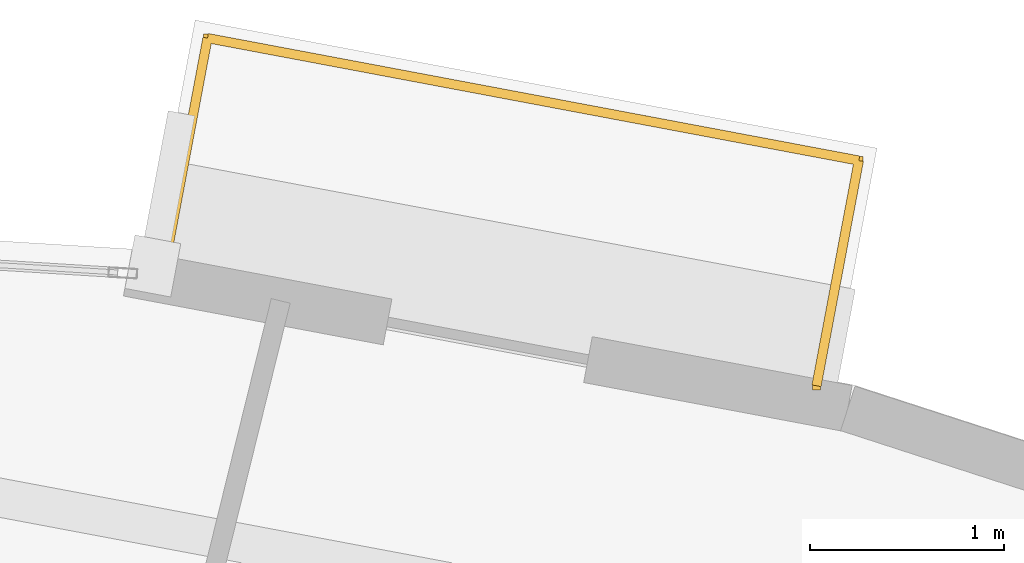
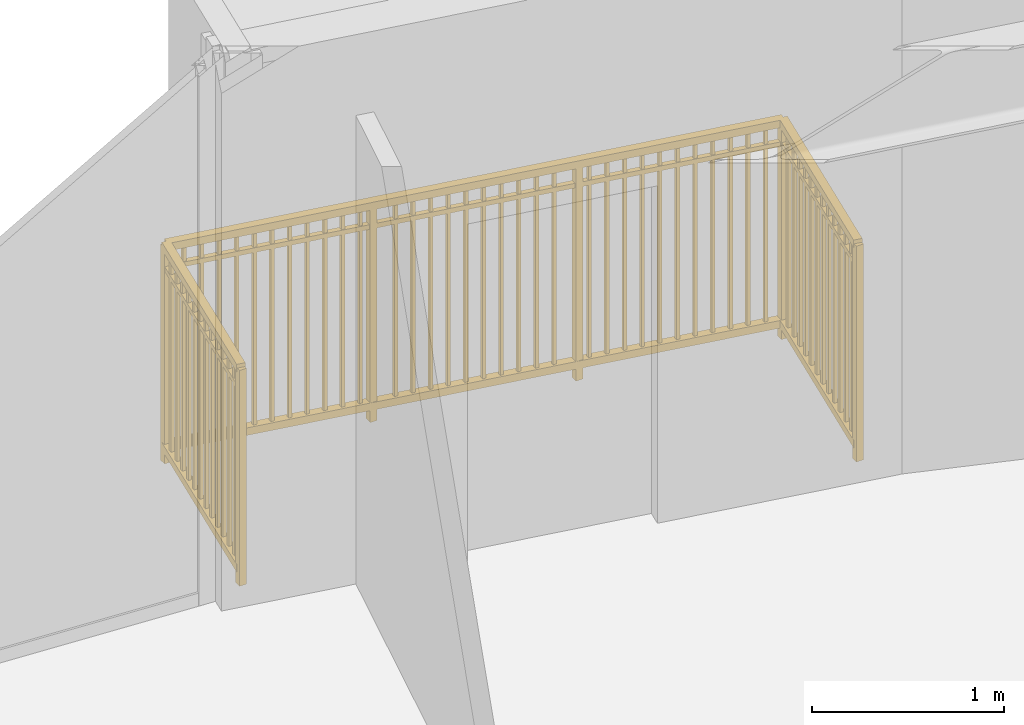
# One storey, part 20 of 20: 1 railing.
"""IFC4 building model written with IfcOpenShell, lengths in metres."""

from ifc_helpers import new_model, si_unit, direction, frame, origin, origin_2d, place, context, subcontext, project, spatial, rectangle, extrude, source, transform, mapped, material, type_object, element, save


model = new_model("IFC4")

# Units and contexts
model_context = context("Model", 3, precision=1e-05, world=origin(), true_north=direction((0.0, 1.0)))
body_context = subcontext(model_context, "Body", "Model", "MODEL_VIEW")
ifc_project = project(units=[si_unit("LENGTHUNIT", "METRE"), si_unit("AREAUNIT", "SQUARE_METRE"), si_unit("VOLUMEUNIT", "CUBIC_METRE"), si_unit("PLANEANGLEUNIT", "RADIAN"), si_unit("MASSUNIT", "GRAM", prefix="KILO")], contexts=[model_context])

# Site, building, storey
site_placement = place(None, origin())
site = spatial("IfcSite", under=ifc_project, at=site_placement, CompositionType="ELEMENT")
building_placement = place(site_placement, origin())
building = spatial("IfcBuilding", under=site, at=building_placement, Name="Linh Dai School and Residence Tower", CompositionType="ELEMENT")
storey_placement = place(building_placement, frame((0.0, 0.0, 232.800048828125)))
storey = spatial("IfcBuildingStorey", under=building, at=storey_placement, Name="L57", CompositionType="ELEMENT", Elevation=232.800048828125)

# Railing
ifc_material = material(Name="Structural Steel S355JR", Category="steel")
railing_type = type_object("IfcRailingType", Name="RL-BAL-1400", PredefinedType="BALUSTRADE", material=ifc_material)
shared_shape = source(origin(), body_context, "Body", "SweptSolid", [
    extrude(rectangle(XDim=0.048095703125, YDim=0.048095703125, at=origin_2d()), frame((0.0, 0.0, 1.3759765625), z_axis=(0.184725654166, 0.982790126473, 0.0), x_axis=(-0.982790126473, 0.184725654166, 0.0)), (0.0, 0.0, 1.0), 1.18017578125),
    extrude(rectangle(XDim=0.048095703125, YDim=0.048095703125, at=origin_2d()), frame((0.0, 0.0, 0.10009765625), z_axis=(0.184725654166, 0.982790126473, 0.0), x_axis=(-0.982790126473, 0.184725654166, 0.0)), (0.0, 0.0, 1.0), 1.18017578125),
    extrude(rectangle(XDim=0.030029296875, YDim=0.030029296875, at=origin_2d()), frame((0.0, 0.0, 1.239990234375), z_axis=(0.184725654166, 0.982790126473, 0.0), x_axis=(-0.982790126473, 0.184725654166, 0.0)), (0.0, 0.0, 1.0), 1.18017578125),
    extrude(rectangle(XDim=0.02001953125, YDim=0.02001953125, at=origin_2d()), frame((0.016845703125, 0.089111328125, 0.10009765625)), (0.0, 0.0, 1.0), 1.251708984375),
    extrude(rectangle(XDim=0.02001953125, YDim=0.02001953125, at=origin_2d()), frame((0.033447265625, 0.178466796875, 0.10009765625)), (0.0, 0.0, 1.0), 1.251708984375),
    extrude(rectangle(XDim=0.02001953125, YDim=0.02001953125, at=origin_2d()), frame((0.05029296875, 0.267578125, 0.10009765625)), (0.0, 0.0, 1.0), 1.251708984375),
    extrude(rectangle(XDim=0.02001953125, YDim=0.02001953125, at=origin_2d()), frame((0.067138671875, 0.35693359375, 0.10009765625)), (0.0, 0.0, 1.0), 1.251708984375),
    extrude(rectangle(XDim=0.02001953125, YDim=0.02001953125, at=origin_2d()), frame((0.083740234375, 0.446044921875, 0.10009765625)), (0.0, 0.0, 1.0), 1.251708984375),
    extrude(rectangle(XDim=0.02001953125, YDim=0.02001953125, at=origin_2d()), frame((0.1005859375, 0.535400390625, 0.10009765625)), (0.0, 0.0, 1.0), 1.251708984375),
    extrude(rectangle(XDim=0.02001953125, YDim=0.02001953125, at=origin_2d()), frame((0.117431640625, 0.62451171875, 0.10009765625)), (0.0, 0.0, 1.0), 1.251708984375),
    extrude(rectangle(XDim=0.02001953125, YDim=0.02001953125, at=origin_2d()), frame((0.13427734375, 0.7138671875, 0.10009765625)), (0.0, 0.0, 1.0), 1.251708984375),
    extrude(rectangle(XDim=0.02001953125, YDim=0.02001953125, at=origin_2d()), frame((0.15087890625, 0.802978515625, 0.10009765625)), (0.0, 0.0, 1.0), 1.251708984375),
    extrude(rectangle(XDim=0.02001953125, YDim=0.02001953125, at=origin_2d()), frame((0.167724609375, 0.892333984375, 0.10009765625)), (0.0, 0.0, 1.0), 1.251708984375),
    extrude(rectangle(XDim=0.02001953125, YDim=0.02001953125, at=origin_2d()), frame((0.1845703125, 0.9814453125, 0.10009765625)), (0.0, 0.0, 1.0), 1.251708984375),
    extrude(rectangle(XDim=0.02001953125, YDim=0.02001953125, at=origin_2d()), frame((0.201171875, 1.07080078125, 0.10009765625)), (0.0, 0.0, 1.0), 1.251708984375),
    extrude(rectangle(XDim=0.048095703125, YDim=0.048095703125, at=origin_2d()), frame((0.218017578125, 1.159912109375, 1.3759765625), z_axis=(0.982777297131, -0.184793896665, 0.0), x_axis=(0.184793896665, 0.982777297131, 0.0)), (0.0, 0.0, 1.0), 3.41259765625),
    extrude(rectangle(XDim=0.048095703125, YDim=0.048095703125, at=origin_2d()), frame((0.218017578125, 1.159912109375, 0.10009765625), z_axis=(0.982777297131, -0.184793896665, 0.0), x_axis=(0.184793896665, 0.982777297131, 0.0)), (0.0, 0.0, 1.0), 3.41259765625),
    extrude(rectangle(XDim=0.030029296875, YDim=0.030029296875, at=origin_2d()), frame((0.218017578125, 1.159912109375, 1.239990234375), z_axis=(0.982777297131, -0.184793896665, 0.0), x_axis=(0.184793896665, 0.982777297131, 0.0)), (0.0, 0.0, 1.0), 3.41259765625),
    extrude(rectangle(XDim=0.02001953125, YDim=0.02001953125, at=origin_2d()), frame((0.313720703125, 1.141845703125, 0.10009765625)), (0.0, 0.0, 1.0), 1.251708984375),
    extrude(rectangle(XDim=0.02001953125, YDim=0.02001953125, at=origin_2d()), frame((0.40966796875, 1.123779296875, 0.10009765625)), (0.0, 0.0, 1.0), 1.251708984375),
    extrude(rectangle(XDim=0.02001953125, YDim=0.02001953125, at=origin_2d()), frame((0.50537109375, 1.10595703125, 0.10009765625)), (0.0, 0.0, 1.0), 1.251708984375),
    extrude(rectangle(XDim=0.02001953125, YDim=0.02001953125, at=origin_2d()), frame((0.601318359375, 1.087890625, 0.10009765625)), (0.0, 0.0, 1.0), 1.251708984375),
    extrude(rectangle(XDim=0.02001953125, YDim=0.02001953125, at=origin_2d()), frame((0.697021484375, 1.06982421875, 0.10009765625)), (0.0, 0.0, 1.0), 1.251708984375),
    extrude(rectangle(XDim=0.02001953125, YDim=0.02001953125, at=origin_2d()), frame((0.79296875, 1.0517578125, 0.10009765625)), (0.0, 0.0, 1.0), 1.251708984375),
    extrude(rectangle(XDim=0.02001953125, YDim=0.02001953125, at=origin_2d()), frame((0.888671875, 1.03369140625, 0.10009765625)), (0.0, 0.0, 1.0), 1.251708984375),
    extrude(rectangle(XDim=0.02001953125, YDim=0.02001953125, at=origin_2d()), frame((0.984619140625, 1.015869140625, 0.10009765625)), (0.0, 0.0, 1.0), 1.251708984375),
    extrude(rectangle(XDim=0.02001953125, YDim=0.02001953125, at=origin_2d()), frame((1.080322265625, 0.997802734375, 0.10009765625)), (0.0, 0.0, 1.0), 1.251708984375),
    extrude(rectangle(XDim=0.02001953125, YDim=0.02001953125, at=origin_2d()), frame((1.17626953125, 0.979736328125, 0.10009765625)), (0.0, 0.0, 1.0), 1.251708984375),
    extrude(rectangle(XDim=0.02001953125, YDim=0.02001953125, at=origin_2d()), frame((1.27197265625, 0.961669921875, 0.10009765625)), (0.0, 0.0, 1.0), 1.251708984375),
    extrude(rectangle(XDim=0.02001953125, YDim=0.02001953125, at=origin_2d()), frame((1.463623046875, 0.92578125, 0.10009765625)), (0.0, 0.0, 1.0), 1.251708984375),
    extrude(rectangle(XDim=0.02001953125, YDim=0.02001953125, at=origin_2d()), frame((1.5595703125, 0.90771484375, 0.10009765625)), (0.0, 0.0, 1.0), 1.251708984375),
    extrude(rectangle(XDim=0.02001953125, YDim=0.02001953125, at=origin_2d()), frame((1.6552734375, 0.8896484375, 0.10009765625)), (0.0, 0.0, 1.0), 1.251708984375),
    extrude(rectangle(XDim=0.02001953125, YDim=0.02001953125, at=origin_2d()), frame((1.751220703125, 0.87158203125, 0.10009765625)), (0.0, 0.0, 1.0), 1.251708984375),
    extrude(rectangle(XDim=0.02001953125, YDim=0.02001953125, at=origin_2d()), frame((1.846923828125, 0.853515625, 0.10009765625)), (0.0, 0.0, 1.0), 1.251708984375),
    extrude(rectangle(XDim=0.02001953125, YDim=0.02001953125, at=origin_2d()), frame((1.94287109375, 0.835693359375, 0.10009765625)), (0.0, 0.0, 1.0), 1.251708984375),
    extrude(rectangle(XDim=0.02001953125, YDim=0.02001953125, at=origin_2d()), frame((2.03857421875, 0.817626953125, 0.10009765625)), (0.0, 0.0, 1.0), 1.251708984375),
    extrude(rectangle(XDim=0.02001953125, YDim=0.02001953125, at=origin_2d()), frame((2.134521484375, 0.799560546875, 0.10009765625)), (0.0, 0.0, 1.0), 1.251708984375),
    extrude(rectangle(XDim=0.02001953125, YDim=0.02001953125, at=origin_2d()), frame((2.230224609375, 0.781494140625, 0.10009765625)), (0.0, 0.0, 1.0), 1.251708984375),
    extrude(rectangle(XDim=0.02001953125, YDim=0.02001953125, at=origin_2d()), frame((2.326171875, 0.763427734375, 0.10009765625)), (0.0, 0.0, 1.0), 1.251708984375),
    extrude(rectangle(XDim=0.02001953125, YDim=0.02001953125, at=origin_2d()), frame((2.517822265625, 0.7275390625, 0.10009765625)), (0.0, 0.0, 1.0), 1.251708984375),
    extrude(rectangle(XDim=0.02001953125, YDim=0.02001953125, at=origin_2d()), frame((2.613525390625, 0.70947265625, 0.10009765625)), (0.0, 0.0, 1.0), 1.251708984375),
    extrude(rectangle(XDim=0.02001953125, YDim=0.02001953125, at=origin_2d()), frame((2.70947265625, 0.69140625, 0.10009765625)), (0.0, 0.0, 1.0), 1.251708984375),
    extrude(rectangle(XDim=0.02001953125, YDim=0.02001953125, at=origin_2d()), frame((2.80517578125, 0.67333984375, 0.10009765625)), (0.0, 0.0, 1.0), 1.251708984375),
    extrude(rectangle(XDim=0.02001953125, YDim=0.02001953125, at=origin_2d()), frame((2.901123046875, 0.655517578125, 0.10009765625)), (0.0, 0.0, 1.0), 1.251708984375),
    extrude(rectangle(XDim=0.02001953125, YDim=0.02001953125, at=origin_2d()), frame((2.996826171875, 0.637451171875, 0.10009765625)), (0.0, 0.0, 1.0), 1.251708984375),
    extrude(rectangle(XDim=0.02001953125, YDim=0.02001953125, at=origin_2d()), frame((3.0927734375, 0.619384765625, 0.10009765625)), (0.0, 0.0, 1.0), 1.251708984375),
    extrude(rectangle(XDim=0.02001953125, YDim=0.02001953125, at=origin_2d()), frame((3.1884765625, 0.601318359375, 0.10009765625)), (0.0, 0.0, 1.0), 1.251708984375),
    extrude(rectangle(XDim=0.02001953125, YDim=0.02001953125, at=origin_2d()), frame((3.284423828125, 0.583251953125, 0.10009765625)), (0.0, 0.0, 1.0), 1.251708984375),
    extrude(rectangle(XDim=0.02001953125, YDim=0.02001953125, at=origin_2d()), frame((3.380126953125, 0.5654296875, 0.10009765625)), (0.0, 0.0, 1.0), 1.251708984375),
    extrude(rectangle(XDim=0.02001953125, YDim=0.02001953125, at=origin_2d()), frame((3.47607421875, 0.54736328125, 0.10009765625)), (0.0, 0.0, 1.0), 1.251708984375),
    extrude(rectangle(XDim=0.048095703125, YDim=0.048095703125, at=origin_2d()), frame((3.57177734375, 0.529296875, 1.3759765625), z_axis=(-0.18476321632, -0.982783065531, 0.0), x_axis=(0.982783065531, -0.18476321632, 0.0)), (0.0, 0.0, 1.0), 1.179931640625),
    extrude(rectangle(XDim=0.048095703125, YDim=0.048095703125, at=origin_2d()), frame((3.57177734375, 0.529296875, 0.10009765625), z_axis=(-0.18476321632, -0.982783065531, 0.0), x_axis=(0.982783065531, -0.18476321632, 0.0)), (0.0, 0.0, 1.0), 1.179931640625),
    extrude(rectangle(XDim=0.030029296875, YDim=0.030029296875, at=origin_2d()), frame((3.57177734375, 0.529296875, 1.239990234375), z_axis=(-0.18476321632, -0.982783065531, 0.0), x_axis=(0.982783065531, -0.18476321632, 0.0)), (0.0, 0.0, 1.0), 1.179931640625),
    extrude(rectangle(XDim=0.02001953125, YDim=0.02001953125, at=origin_2d()), frame((3.554931640625, 0.440185546875, 0.10009765625)), (0.0, 0.0, 1.0), 1.251708984375),
    extrude(rectangle(XDim=0.02001953125, YDim=0.02001953125, at=origin_2d()), frame((3.538330078125, 0.350830078125, 0.10009765625)), (0.0, 0.0, 1.0), 1.251708984375),
    extrude(rectangle(XDim=0.02001953125, YDim=0.02001953125, at=origin_2d()), frame((3.521484375, 0.26171875, 0.10009765625)), (0.0, 0.0, 1.0), 1.251708984375),
    extrude(rectangle(XDim=0.02001953125, YDim=0.02001953125, at=origin_2d()), frame((3.504638671875, 0.17236328125, 0.10009765625)), (0.0, 0.0, 1.0), 1.251708984375),
    extrude(rectangle(XDim=0.02001953125, YDim=0.02001953125, at=origin_2d()), frame((3.488037109375, 0.083251953125, 0.10009765625)), (0.0, 0.0, 1.0), 1.251708984375),
    extrude(rectangle(XDim=0.02001953125, YDim=0.02001953125, at=origin_2d()), frame((3.47119140625, -0.005859375, 0.10009765625)), (0.0, 0.0, 1.0), 1.251708984375),
    extrude(rectangle(XDim=0.02001953125, YDim=0.02001953125, at=origin_2d()), frame((3.454345703125, -0.09521484375, 0.10009765625)), (0.0, 0.0, 1.0), 1.251708984375),
    extrude(rectangle(XDim=0.02001953125, YDim=0.02001953125, at=origin_2d()), frame((3.4375, -0.184326171875, 0.10009765625)), (0.0, 0.0, 1.0), 1.251708984375),
    extrude(rectangle(XDim=0.02001953125, YDim=0.02001953125, at=origin_2d()), frame((3.4208984375, -0.2734375, 0.10009765625)), (0.0, 0.0, 1.0), 1.251708984375),
    extrude(rectangle(XDim=0.02001953125, YDim=0.02001953125, at=origin_2d()), frame((3.404052734375, -0.36279296875, 0.10009765625)), (0.0, 0.0, 1.0), 1.251708984375),
    extrude(rectangle(XDim=0.02001953125, YDim=0.02001953125, at=origin_2d()), frame((3.38720703125, -0.451904296875, 0.10009765625)), (0.0, 0.0, 1.0), 1.251708984375),
    extrude(rectangle(XDim=0.02001953125, YDim=0.02001953125, at=origin_2d()), frame((3.37060546875, -0.541259765625, 0.10009765625)), (0.0, 0.0, 1.0), 1.251708984375),
    extrude(rectangle(XDim=0.0419921875, YDim=0.0419921875, at=origin_2d()), origin(), (0.0, 0.0, 1.0), 1.3759765625),
    extrude(rectangle(XDim=0.0419921875, YDim=0.0419921875, at=origin_2d()), frame((0.218017578125, 1.159912109375, 0.0)), (0.0, 0.0, 1.0), 1.3759765625),
    extrude(rectangle(XDim=0.0419921875, YDim=0.0419921875, at=origin_2d()), frame((1.3359375, 0.94970703125, 0.0)), (0.0, 0.0, 1.0), 1.3759765625),
    extrude(rectangle(XDim=0.0419921875, YDim=0.0419921875, at=origin_2d()), frame((2.453857421875, 0.739501953125, 0.0)), (0.0, 0.0, 1.0), 1.3759765625),
    extrude(rectangle(XDim=0.0419921875, YDim=0.0419921875, at=origin_2d()), frame((3.57177734375, 0.529296875, 0.0)), (0.0, 0.0, 1.0), 1.3759765625),
    extrude(rectangle(XDim=0.0419921875, YDim=0.0419921875, at=origin_2d()), frame((3.353759765625, -0.63037109375, 0.0)), (0.0, 0.0, 1.0), 1.3759765625),
])
railing_placement = place(storey_placement, frame((39.994140625, 45.7958984375, 0.0)))
element("IfcRailing", 1, at=railing_placement, inside=storey, type_object=railing_type, Name="L57 Balcony Safety Balustrade 09", PredefinedType="BALUSTRADE", context=body_context, shape_type="MappedRepresentation", body=[
    mapped(shared_shape, transform((0.0, 0.0, 0.0), x_axis=(1.0, 0.0, 0.0), y_axis=(0.0, 1.0, 0.0), z_axis=(0.0, 0.0, 1.0), scale=1.0)),
])

save(model, "model.ifc")
